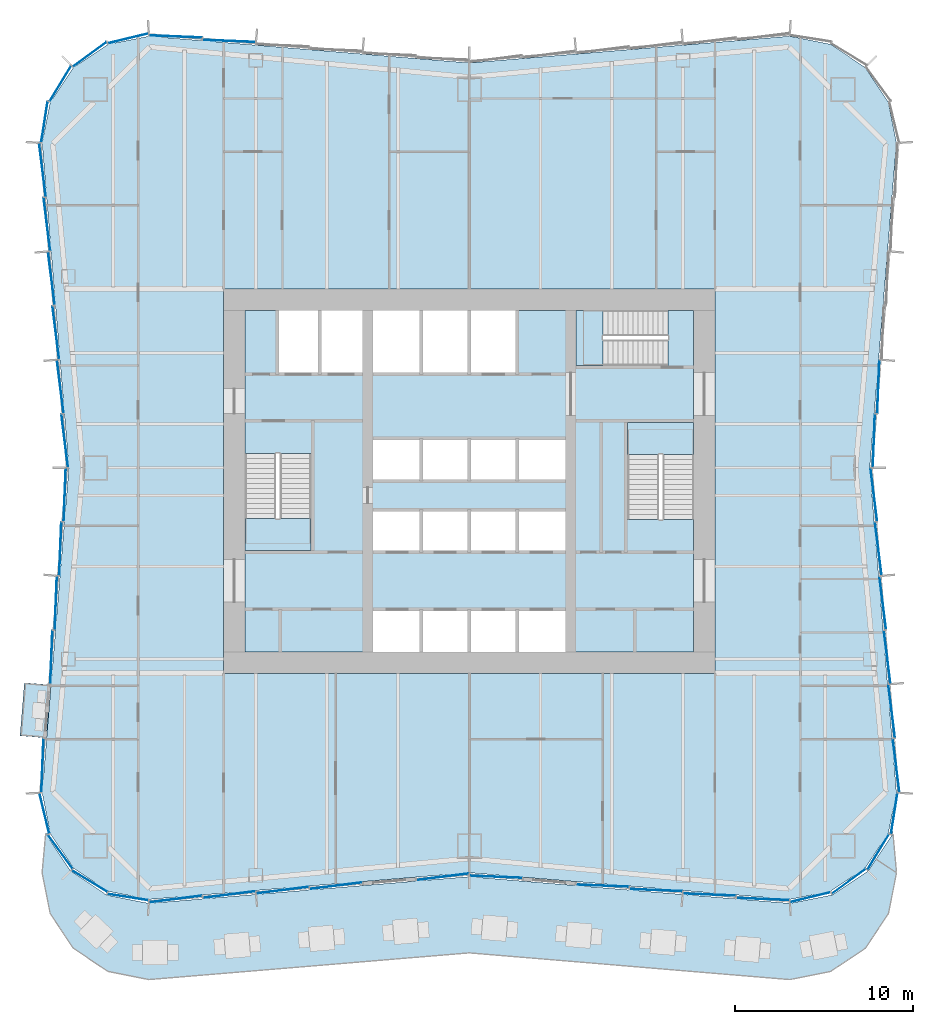
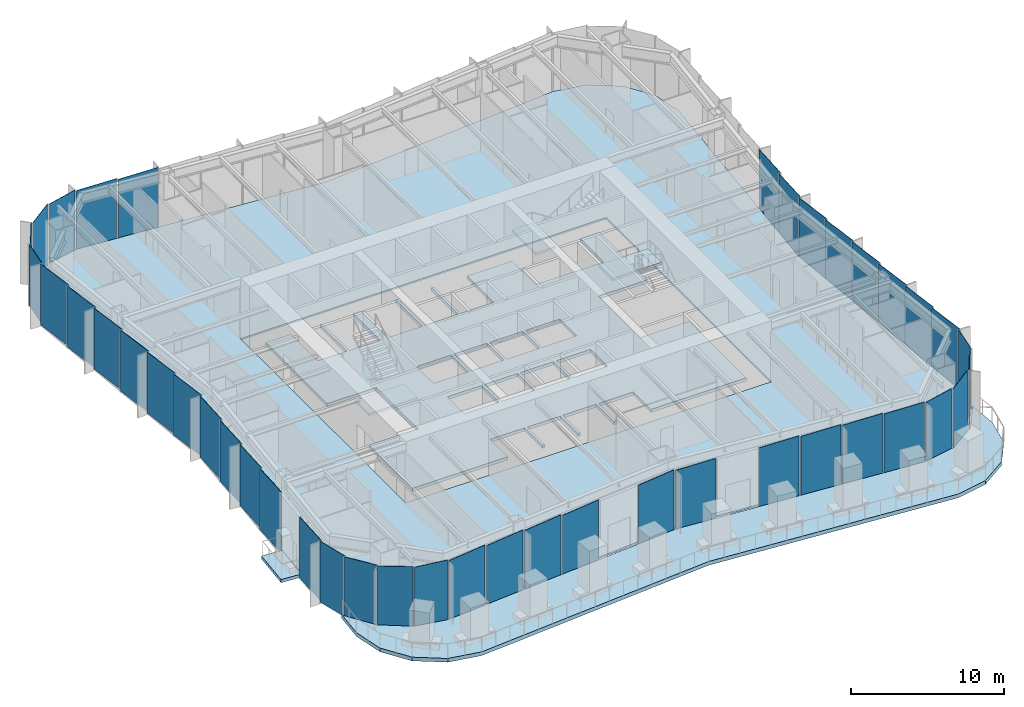
# One storey, part 7 of 15: 43 plates, 7 slabs, 10 elements without a shape of their own.
"""IFC4 building model written with IfcOpenShell, lengths in metres."""

from ifc_helpers import new_model, si_unit, direction, frame, origin, origin_2d, place, context, subcontext, project, spatial, polyline, rectangle, outline, extrude, material, layer, layer_set, type_object, element, aggregate, save


model = new_model("IFC4")

# Units and contexts
model_context = context("Model", 3, precision=1e-05, world=origin(), true_north=direction((0.0, 1.0)))
body_context = subcontext(model_context, "Body", "Model", "MODEL_VIEW")
ifc_project = project(units=[si_unit("LENGTHUNIT", "METRE"), si_unit("AREAUNIT", "SQUARE_METRE"), si_unit("VOLUMEUNIT", "CUBIC_METRE"), si_unit("PLANEANGLEUNIT", "RADIAN"), si_unit("MASSUNIT", "GRAM", prefix="KILO")], contexts=[model_context])

# Site, building, storey
site_placement = place(None, origin())
site = spatial("IfcSite", under=ifc_project, at=site_placement, CompositionType="ELEMENT")
building_placement = place(site_placement, origin())
building = spatial("IfcBuilding", under=site, at=building_placement, Name="Verdant Reach Tower", CompositionType="ELEMENT")
storey_placement = place(building_placement, frame((0.0, 0.0, 65.0)))
storey = spatial("IfcBuildingStorey", under=building, at=storey_placement, Name="L14", CompositionType="ELEMENT", Elevation=65.0)

# Stair, slab
ifc_material_1 = material(Name="Concrete C40/50", Category="concrete")
stair_type = type_object("IfcStairType", Name="CO-STAIR", PredefinedType="HALF_TURN_STAIR", material=ifc_material_1)
stair_1_placement = place(storey_placement, origin())
stair_1 = element("IfcStair", 1, at=stair_1_placement, inside=storey, type_object=stair_type, Name="L14 Exit stair 1", PredefinedType="HALF_TURN_STAIR")
ifc_layer_1 = layer(ifc_material_1, 0.199951171875)
ifc_layer_set_1 = layer_set([ifc_layer_1], Name="CO-STAIR-LANDING")
slab_type_1 = type_object("IfcSlabType", Name="CO-STAIR-LANDING", PredefinedType="LANDING", material=ifc_layer_set_1)
slab_1_placement = place(storey_placement, frame((0.0, 0.0, 2.300048828125)))
slab_1 = element("IfcSlab", 2, at=slab_1_placement, type_object=slab_type_1, Name="ST-1 landing 1", PredefinedType="LANDING", context=body_context, shape_type="SweptSolid", body=[
    extrude(outline(polyline([(-12.60009765625, 25.909912109375), (-12.60009765625, 24.10009765625), (-8.89990234375, 24.10009765625), (-8.89990234375, 25.909912109375), (-12.60009765625, 25.909912109375)])), origin(), (0.0, 0.0, 1.0), 0.199951171875),
])
aggregate(stair_1, [slab_1])

stair_2_placement = place(storey_placement, origin())
stair_2 = element("IfcStair", 3, at=stair_2_placement, inside=storey, type_object=stair_type, Name="L14 Exit stair 2", PredefinedType="HALF_TURN_STAIR")
slab_2_placement = place(storey_placement, frame((0.0, 0.0, 2.300048828125)))
slab_2 = element("IfcSlab", 4, at=slab_2_placement, type_object=slab_type_1, Name="ST-2 landing 1", PredefinedType="LANDING", context=body_context, shape_type="SweptSolid", body=[
    extrude(outline(polyline([(12.60009765625, 29.489990234375), (12.60009765625, 31.300048828125), (8.89990234375, 31.300048828125), (8.89990234375, 29.489990234375), (12.60009765625, 29.489990234375)])), origin(), (0.0, 0.0, 1.0), 0.199951171875),
])
aggregate(stair_2, [slab_2])

stair_3_placement = place(storey_placement, origin())
stair_3 = element("IfcStair", 5, at=stair_3_placement, inside=storey, type_object=stair_type, Name="L14 Exit stair 3", PredefinedType="HALF_TURN_STAIR")
slab_3_placement = place(storey_placement, frame((0.0, 0.0, 2.300048828125)))
slab_3 = element("IfcSlab", 6, at=slab_3_placement, type_object=slab_type_1, Name="ST-3 landing 1", PredefinedType="LANDING", context=body_context, shape_type="SweptSolid", body=[
    extrude(outline(polyline([(7.510009765625, 37.60009765625), (6.0, 37.60009765625), (6.0, 34.5), (7.510009765625, 34.5), (7.510009765625, 37.60009765625)])), origin(), (0.0, 0.0, 1.0), 0.199951171875),
])
aggregate(stair_3, [slab_3])

# Slab
ifc_material_2 = material(Name="Concrete C35/45", Category="concrete")
ifc_layer_2 = layer(ifc_material_2, 0.25)
ifc_layer_set_2 = layer_set([ifc_layer_2], Name="EN-BALCONY SLAB")
slab_type_2 = type_object("IfcSlabType", Name="EN-BALCONY SLAB", PredefinedType="FLOOR", material=ifc_layer_set_2)
slab_4_placement = place(storey_placement, frame((0.0, 0.0, -0.25)))
element("IfcSlab", 7, at=slab_4_placement, inside=storey, type_object=slab_type_2, Name="Balcony slab 1, L14", PredefinedType="FLOOR", context=body_context, shape_type="SweptSolid", body=[
    extrude(outline(polyline([(-23.50244140625, 16.552490234375), (-23.74755859375, 13.572509765625), (-25.242431640625, 13.695556640625), (-24.99755859375, 16.67529296875), (-23.50244140625, 16.552490234375)])), origin(), (0.0, 0.0, 1.0), 0.25),
])

# Curtain wall, plates
ifc_material_3 = material(Name="Anodised aluminium", Category="aluminium")
curtain_wall_type = type_object("IfcCurtainWallType", Name="EN-CW SYSTEM Z1", PredefinedType="NOTDEFINED", material=ifc_material_3)
curtain_wall_1_placement = place(storey_placement, origin())
curtain_wall_1 = element("IfcCurtainWall", 8, at=curtain_wall_1_placement, inside=storey, type_object=curtain_wall_type, Name="Curtain wall south-east corner, L14", PredefinedType="NOTDEFINED")
ifc_material_4 = material(Name="Tinted glass with champagne spandrel", Category="glass")
ifc_layer_3 = layer(ifc_material_4, 0.031982421875)
ifc_layer_set_3 = layer_set([ifc_layer_3], Name="EN-PANEL CHAMPAGNE")
plate_type_1 = type_object("IfcPlateType", Name="EN-PANEL CHAMPAGNE", PredefinedType="CURTAIN_PANEL", material=ifc_layer_set_3)
plate_1_placement = place(storey_placement, frame((19.170654296875, 4.62939453125, -0.22802734375), z_axis=(0.0, 0.0, 1.0), x_axis=(0.971660685934, 0.236380014828, 0.0)))
plate_1 = element("IfcPlate", 9, at=plate_1_placement, type_object=plate_type_1, Name="Glass panel south-east corner 1.1, L14", PredefinedType="CURTAIN_PANEL", context=body_context, shape_type="SweptSolid", body=[
    extrude(rectangle(XDim=2.317626953125, YDim=0.031982421875, at=origin_2d()), origin(), (0.0, 0.0, 1.0), 4.8779296875),
])
plate_2_placement = place(storey_placement, frame((21.325439453125, 5.52294921875, -0.22802734375), z_axis=(0.0, 0.0, 1.0), x_axis=(0.807456753161, 0.589926768145, 0.0)))
plate_2 = element("IfcPlate", 10, at=plate_2_placement, type_object=plate_type_1, Name="Glass panel south-east corner 2.1, L14", PredefinedType="CURTAIN_PANEL", context=body_context, shape_type="SweptSolid", body=[
    extrude(rectangle(XDim=2.3232421875, YDim=0.031982421875, at=origin_2d()), origin(), (0.0, 0.0, 1.0), 4.8779296875),
])

curtain_wall_2_placement = place(storey_placement, origin())
curtain_wall_2 = element("IfcCurtainWall", 11, at=curtain_wall_2_placement, inside=storey, type_object=curtain_wall_type, Name="Curtain wall east, L14", PredefinedType="NOTDEFINED")
plate_3_placement = place(storey_placement, frame((22.727783203125, 27.2333984375, -0.22802734375), z_axis=(0.0, 0.0, 1.0), x_axis=(-0.123691487663, 0.992320722287, 0.0)))
plate_3 = element("IfcPlate", 12, at=plate_3_placement, type_object=plate_type_1, Name="Glass panel east face part 1 6.1, L14", PredefinedType="CURTAIN_PANEL", context=body_context, shape_type="SweptSolid", body=[
    extrude(rectangle(XDim=2.985595703125, YDim=0.031982421875, at=origin_2d()), origin(), (0.0, 0.0, 1.0), 4.8779296875),
])
plate_4_placement = place(storey_placement, frame((22.727783203125, 30.2666015625, -0.22802734375), z_axis=(0.0, 0.0, 1.0), x_axis=(0.040222426271, 0.99919075077, 0.0)))
plate_4 = element("IfcPlate", 13, at=plate_4_placement, type_object=plate_type_1, Name="Glass panel east face part 2 1.1, L14", PredefinedType="CURTAIN_PANEL", context=body_context, shape_type="SweptSolid", body=[
    extrude(rectangle(XDim=2.985595703125, YDim=0.031982421875, at=origin_2d()), origin(), (0.0, 0.0, 1.0), 4.8779296875),
])
plate_5_placement = place(storey_placement, frame((22.9775390625, 33.303955078125, -0.22802734375), z_axis=(0.0, 0.0, 1.0), x_axis=(0.040108781752, 0.999195319057, 0.0)))
plate_5 = element("IfcPlate", 14, at=plate_5_placement, type_object=plate_type_1, Name="Glass panel east face part 2 2.1, L14", PredefinedType="CURTAIN_PANEL", context=body_context, shape_type="SweptSolid", body=[
    extrude(rectangle(XDim=2.993896484375, YDim=0.031982421875, at=origin_2d()), origin(), (0.0, 0.0, 1.0), 4.8779296875),
])

# Curtain wall, plate
curtain_wall_3_placement = place(storey_placement, origin())
curtain_wall_3 = element("IfcCurtainWall", 15, at=curtain_wall_3_placement, inside=storey, type_object=curtain_wall_type, Name="Curtain wall north, L14", PredefinedType="NOTDEFINED")
plate_6_placement = place(storey_placement, frame((-16.49853515625, 52.977783203125, -0.22802734375), z_axis=(0.0, 0.0, 1.0), x_axis=(-0.999162836679, 0.040909971885, 0.0)))
plate_6 = element("IfcPlate", 16, at=plate_6_placement, type_object=plate_type_1, Name="Glass panel north face part 2 6.1, L14", PredefinedType="CURTAIN_PANEL", context=body_context, shape_type="SweptSolid", body=[
    extrude(rectangle(XDim=2.966796875, YDim=0.031982421875, at=origin_2d()), origin(), (0.0, 0.0, 1.0), 4.8779296875),
])

curtain_wall_4_placement = place(storey_placement, origin())
curtain_wall_4 = element("IfcCurtainWall", 17, at=curtain_wall_4_placement, inside=storey, type_object=curtain_wall_type, Name="Curtain wall north-west corner, L14", PredefinedType="NOTDEFINED")
plate_7_placement = place(storey_placement, frame((-23.87060546875, 48.170654296875, -0.22802734375), z_axis=(0.0, 0.0, 1.0), x_axis=(-0.154247912016, -0.988032176419, 0.0)))
plate_7 = element("IfcPlate", 18, at=plate_7_placement, type_object=plate_type_1, Name="Glass panel north-west corner 4.1, L14", PredefinedType="CURTAIN_PANEL", context=body_context, shape_type="SweptSolid", body=[
    extrude(rectangle(XDim=2.3173828125, YDim=0.031982421875, at=origin_2d()), origin(), (0.0, 0.0, 1.0), 4.8779296875),
])

# Curtain wall, plates
curtain_wall_5_placement = place(storey_placement, origin())
curtain_wall_5 = element("IfcCurtainWall", 19, at=curtain_wall_5_placement, inside=storey, type_object=curtain_wall_type, Name="Curtain wall west, L14", PredefinedType="NOTDEFINED")
plate_8_placement = place(storey_placement, frame((-23.4775390625, 39.387451171875, -0.22802734375), z_axis=(0.0, 0.0, 1.0), x_axis=(0.123578623975, -0.992334784081, 0.0)))
plate_8 = element("IfcPlate", 20, at=plate_8_placement, type_object=plate_type_1, Name="Glass panel west face part 1 3.1, L14", PredefinedType="CURTAIN_PANEL", context=body_context, shape_type="SweptSolid", body=[
    extrude(rectangle(XDim=2.993896484375, YDim=0.031982421875, at=origin_2d()), origin(), (0.0, 0.0, 1.0), 4.8779296875),
])
plate_9_placement = place(storey_placement, frame((-23.2275390625, 36.345703125, -0.22802734375), z_axis=(0.0, 0.0, 1.0), x_axis=(0.123578623975, -0.992334784081, 0.0)))
plate_9 = element("IfcPlate", 21, at=plate_9_placement, type_object=plate_type_1, Name="Glass panel west face part 1 4.1, L14", PredefinedType="CURTAIN_PANEL", context=body_context, shape_type="SweptSolid", body=[
    extrude(rectangle(XDim=2.993896484375, YDim=0.031982421875, at=origin_2d()), origin(), (0.0, 0.0, 1.0), 4.8779296875),
])
plate_10_placement = place(storey_placement, frame((-23.4775390625, 18.112548828125, -0.22802734375), z_axis=(0.0, 0.0, 1.0), x_axis=(-0.040108781752, -0.999195319057, 0.0)))
plate_10 = element("IfcPlate", 22, at=plate_10_placement, type_object=plate_type_1, Name="Glass panel west face part 2 4.1, L14", PredefinedType="CURTAIN_PANEL", context=body_context, shape_type="SweptSolid", body=[
    extrude(rectangle(XDim=2.993896484375, YDim=0.031982421875, at=origin_2d()), origin(), (0.0, 0.0, 1.0), 4.8779296875),
])
plate_11_placement = place(storey_placement, frame((-23.977783203125, 12.022216796875, -0.22802734375), z_axis=(0.0, 0.0, 1.0), x_axis=(-0.039784239139, -0.999208293759, 0.0)))
plate_11 = element("IfcPlate", 23, at=plate_11_placement, type_object=plate_type_1, Name="Glass panel west face part 2 6.1, L14", PredefinedType="CURTAIN_PANEL", context=body_context, shape_type="SweptSolid", body=[
    extrude(rectangle(XDim=3.00830078125, YDim=0.031982421875, at=origin_2d()), origin(), (0.0, 0.0, 1.0), 4.8779296875),
])

curtain_wall_6_placement = place(storey_placement, origin())
curtain_wall_6 = element("IfcCurtainWall", 24, at=curtain_wall_6_placement, inside=storey, type_object=curtain_wall_type, Name="Curtain wall south-west corner, L14", PredefinedType="NOTDEFINED")
plate_12_placement = place(storey_placement, frame((-21.325439453125, 5.52294921875, -0.22802734375), z_axis=(0.0, 0.0, 1.0), x_axis=(0.85398868836, -0.520291572248, 0.0)))
plate_12 = element("IfcPlate", 25, at=plate_12_placement, type_object=plate_type_1, Name="Glass panel south-west corner 3.1, L14", PredefinedType="CURTAIN_PANEL", context=body_context, shape_type="SweptSolid", body=[
    extrude(rectangle(XDim=2.3232421875, YDim=0.031982421875, at=origin_2d()), origin(), (0.0, 0.0, 1.0), 4.8779296875),
])
plate_13_placement = place(storey_placement, frame((-19.170654296875, 4.62939453125, -0.22802734375), z_axis=(0.0, 0.0, 1.0), x_axis=(0.988032704995, -0.154244526195, 0.0)))
plate_13 = element("IfcPlate", 26, at=plate_13_placement, type_object=plate_type_1, Name="Glass panel south-west corner 4.1, L14", PredefinedType="CURTAIN_PANEL", context=body_context, shape_type="SweptSolid", body=[
    extrude(rectangle(XDim=2.317626953125, YDim=0.031982421875, at=origin_2d()), origin(), (0.0, 0.0, 1.0), 4.8779296875),
])

curtain_wall_7_placement = place(storey_placement, origin())
curtain_wall_7 = element("IfcCurtainWall", 27, at=curtain_wall_7_placement, inside=storey, type_object=curtain_wall_type, Name="Curtain wall south, L14", PredefinedType="NOTDEFINED")
plate_14_placement = place(storey_placement, frame((-16.49853515625, 4.522216796875, -0.22802734375), z_axis=(0.0, 0.0, 1.0), x_axis=(0.99223537376, 0.124374286167, 0.0)))
plate_14 = element("IfcPlate", 28, at=plate_14_placement, type_object=plate_type_1, Name="Glass panel south face part 1 1.1, L14", PredefinedType="CURTAIN_PANEL", context=body_context, shape_type="SweptSolid", body=[
    extrude(rectangle(XDim=2.966796875, YDim=0.031982421875, at=origin_2d()), origin(), (0.0, 0.0, 1.0), 4.8779296875),
])
plate_15_placement = place(storey_placement, frame((-13.491455078125, 4.7724609375, -0.22802734375), z_axis=(0.0, 0.0, 1.0), x_axis=(0.992194034542, 0.124703639961, 0.0)))
plate_15 = element("IfcPlate", 29, at=plate_15_placement, type_object=plate_type_1, Name="Glass panel south face part 1 2.1, L14", PredefinedType="CURTAIN_PANEL", context=body_context, shape_type="SweptSolid", body=[
    extrude(rectangle(XDim=2.952392578125, YDim=0.031982421875, at=origin_2d()), origin(), (0.0, 0.0, 1.0), 4.8779296875),
])
plate_16_placement = place(storey_placement, frame((7.491455078125, 5.2724609375, -0.22802734375), z_axis=(0.0, 0.0, 1.0), x_axis=(0.999149202059, -0.041241629766, 0.0)))
plate_16 = element("IfcPlate", 30, at=plate_16_placement, type_object=plate_type_1, Name="Glass panel south face part 2 3.1, L14", PredefinedType="CURTAIN_PANEL", context=body_context, shape_type="SweptSolid", body=[
    extrude(rectangle(XDim=2.952392578125, YDim=0.031982421875, at=origin_2d()), origin(), (0.0, 0.0, 1.0), 4.8779296875),
])

# Plate
ifc_material_5 = material(Name="Tinted glass with copper spandrel", Category="glass")
ifc_layer_4 = layer(ifc_material_5, 0.031982421875)
ifc_layer_set_4 = layer_set([ifc_layer_4], Name="EN-PANEL COPPER")
plate_type_2 = type_object("IfcPlateType", Name="EN-PANEL COPPER", PredefinedType="CURTAIN_PANEL", material=ifc_layer_set_4)
plate_17_placement = place(storey_placement, frame((22.97705078125, 7.174560546875, -0.22802734375), z_axis=(0.0, 0.0, 1.0), x_axis=(0.520291572248, 0.85398868836, 0.0)))
plate_17 = element("IfcPlate", 31, at=plate_17_placement, type_object=plate_type_2, Name="Glass panel south-east corner 3.1, L14", PredefinedType="CURTAIN_PANEL", context=body_context, shape_type="SweptSolid", body=[
    extrude(rectangle(XDim=2.3232421875, YDim=0.031982421875, at=origin_2d()), origin(), (0.0, 0.0, 1.0), 4.8779296875),
])

plate_18_placement = place(storey_placement, frame((23.87060546875, 9.329345703125, -0.22802734375), z_axis=(0.0, 0.0, 1.0), x_axis=(0.154247912016, 0.988032176419, 0.0)))
plate_18 = element("IfcPlate", 32, at=plate_18_placement, type_object=plate_type_2, Name="Glass panel south-east corner 4.1, L14", PredefinedType="CURTAIN_PANEL", context=body_context, shape_type="SweptSolid", body=[
    extrude(rectangle(XDim=2.3173828125, YDim=0.031982421875, at=origin_2d()), origin(), (0.0, 0.0, 1.0), 4.8779296875),
])

aggregate(curtain_wall_1, [plate_1, plate_2, plate_17, plate_18])

plate_19_placement = place(storey_placement, frame((23.977783203125, 12.022216796875, -0.22802734375), z_axis=(0.0, 0.0, 1.0), x_axis=(-0.123256305275, 0.992374870304, 0.0)))
plate_19 = element("IfcPlate", 33, at=plate_19_placement, type_object=plate_type_2, Name="Glass panel east face part 1 1.1, L14", PredefinedType="CURTAIN_PANEL", context=body_context, shape_type="SweptSolid", body=[
    extrude(rectangle(XDim=3.00830078125, YDim=0.031982421875, at=origin_2d()), origin(), (0.0, 0.0, 1.0), 4.8779296875),
])

plate_20_placement = place(storey_placement, frame((23.7275390625, 15.071044921875, -0.22802734375), z_axis=(0.0, 0.0, 1.0), x_axis=(-0.123578623975, 0.992334784081, 0.0)))
plate_20 = element("IfcPlate", 34, at=plate_20_placement, type_object=plate_type_2, Name="Glass panel east face part 1 2.1, L14", PredefinedType="CURTAIN_PANEL", context=body_context, shape_type="SweptSolid", body=[
    extrude(rectangle(XDim=2.993896484375, YDim=0.031982421875, at=origin_2d()), origin(), (0.0, 0.0, 1.0), 4.8779296875),
])

plate_21_placement = place(storey_placement, frame((23.4775390625, 18.112548828125, -0.22802734375), z_axis=(0.0, 0.0, 1.0), x_axis=(-0.123578623975, 0.992334784081, 0.0)))
plate_21 = element("IfcPlate", 35, at=plate_21_placement, type_object=plate_type_2, Name="Glass panel east face part 1 3.1, L14", PredefinedType="CURTAIN_PANEL", context=body_context, shape_type="SweptSolid", body=[
    extrude(rectangle(XDim=2.993896484375, YDim=0.031982421875, at=origin_2d()), origin(), (0.0, 0.0, 1.0), 4.8779296875),
])

plate_22_placement = place(storey_placement, frame((-19.170654296875, 52.87060546875, -0.22802734375), z_axis=(0.0, 0.0, 1.0), x_axis=(-0.971660685934, -0.236380014828, 0.0)))
plate_22 = element("IfcPlate", 36, at=plate_22_placement, type_object=plate_type_2, Name="Glass panel north-west corner 1.1, L14", PredefinedType="CURTAIN_PANEL", context=body_context, shape_type="SweptSolid", body=[
    extrude(rectangle(XDim=2.317626953125, YDim=0.031982421875, at=origin_2d()), origin(), (0.0, 0.0, 1.0), 4.8779296875),
])

plate_23_placement = place(storey_placement, frame((-22.9775390625, 33.303955078125, -0.22802734375), z_axis=(0.0, 0.0, 1.0), x_axis=(0.123578623975, -0.992334784081, 0.0)))
plate_23 = element("IfcPlate", 37, at=plate_23_placement, type_object=plate_type_2, Name="Glass panel west face part 1 5.1, L14", PredefinedType="CURTAIN_PANEL", context=body_context, shape_type="SweptSolid", body=[
    extrude(rectangle(XDim=2.993896484375, YDim=0.031982421875, at=origin_2d()), origin(), (0.0, 0.0, 1.0), 4.8779296875),
])

plate_24_placement = place(storey_placement, frame((-22.727783203125, 30.2666015625, -0.22802734375), z_axis=(0.0, 0.0, 1.0), x_axis=(0.123691487663, -0.992320722287, 0.0)))
plate_24 = element("IfcPlate", 38, at=plate_24_placement, type_object=plate_type_2, Name="Glass panel west face part 1 6.1, L14", PredefinedType="CURTAIN_PANEL", context=body_context, shape_type="SweptSolid", body=[
    extrude(rectangle(XDim=2.985595703125, YDim=0.031982421875, at=origin_2d()), origin(), (0.0, 0.0, 1.0), 4.8779296875),
])

plate_25_placement = place(storey_placement, frame((-22.727783203125, 27.2333984375, -0.22802734375), z_axis=(0.0, 0.0, 1.0), x_axis=(-0.040222426271, -0.99919075077, 0.0)))
plate_25 = element("IfcPlate", 39, at=plate_25_placement, type_object=plate_type_2, Name="Glass panel west face part 2 1.1, L14", PredefinedType="CURTAIN_PANEL", context=body_context, shape_type="SweptSolid", body=[
    extrude(rectangle(XDim=2.985595703125, YDim=0.031982421875, at=origin_2d()), origin(), (0.0, 0.0, 1.0), 4.8779296875),
])

plate_26_placement = place(storey_placement, frame((-10.491455078125, 5.0224609375, -0.22802734375), z_axis=(0.0, 0.0, 1.0), x_axis=(0.992194034542, 0.124703639961, 0.0)))
plate_26 = element("IfcPlate", 40, at=plate_26_placement, type_object=plate_type_2, Name="Glass panel south face part 1 3.1, L14", PredefinedType="CURTAIN_PANEL", context=body_context, shape_type="SweptSolid", body=[
    extrude(rectangle(XDim=2.952392578125, YDim=0.031982421875, at=origin_2d()), origin(), (0.0, 0.0, 1.0), 4.8779296875),
])

plate_27_placement = place(storey_placement, frame((-7.491455078125, 5.2724609375, -0.22802734375), z_axis=(0.0, 0.0, 1.0), x_axis=(0.992194034542, 0.124703639961, 0.0)))
plate_27 = element("IfcPlate", 41, at=plate_27_placement, type_object=plate_type_2, Name="Glass panel south face part 1 4.1, L14", PredefinedType="CURTAIN_PANEL", context=body_context, shape_type="SweptSolid", body=[
    extrude(rectangle(XDim=2.952392578125, YDim=0.031982421875, at=origin_2d()), origin(), (0.0, 0.0, 1.0), 4.8779296875),
])

plate_28_placement = place(storey_placement, frame((10.491455078125, 5.0224609375, -0.22802734375), z_axis=(0.0, 0.0, 1.0), x_axis=(0.999149202059, -0.041241629766, 0.0)))
plate_28 = element("IfcPlate", 42, at=plate_28_placement, type_object=plate_type_2, Name="Glass panel south face part 2 4.1, L14", PredefinedType="CURTAIN_PANEL", context=body_context, shape_type="SweptSolid", body=[
    extrude(rectangle(XDim=2.952392578125, YDim=0.031982421875, at=origin_2d()), origin(), (0.0, 0.0, 1.0), 4.8779296875),
])

plate_29_placement = place(storey_placement, frame((13.491455078125, 4.7724609375, -0.22802734375), z_axis=(0.0, 0.0, 1.0), x_axis=(0.999149202059, -0.041241629766, 0.0)))
plate_29 = element("IfcPlate", 43, at=plate_29_placement, type_object=plate_type_2, Name="Glass panel south face part 2 5.1, L14", PredefinedType="CURTAIN_PANEL", context=body_context, shape_type="SweptSolid", body=[
    extrude(rectangle(XDim=2.952392578125, YDim=0.031982421875, at=origin_2d()), origin(), (0.0, 0.0, 1.0), 4.8779296875),
])

plate_30_placement = place(storey_placement, frame((16.49853515625, 4.522216796875, -0.22802734375), z_axis=(0.0, 0.0, 1.0), x_axis=(0.999162836679, -0.040909971885, 0.0)))
plate_30 = element("IfcPlate", 44, at=plate_30_placement, type_object=plate_type_2, Name="Glass panel south face part 2 6.1, L14", PredefinedType="CURTAIN_PANEL", context=body_context, shape_type="SweptSolid", body=[
    extrude(rectangle(XDim=2.966796875, YDim=0.031982421875, at=origin_2d()), origin(), (0.0, 0.0, 1.0), 4.8779296875),
])

ifc_material_6 = material(Name="Tinted glass with dark bronze spandrel", Category="glass")
ifc_layer_5 = layer(ifc_material_6, 0.031982421875)
ifc_layer_set_5 = layer_set([ifc_layer_5], Name="EN-PANEL DARK")
plate_type_3 = type_object("IfcPlateType", Name="EN-PANEL DARK", PredefinedType="CURTAIN_PANEL", material=ifc_layer_set_5)
plate_31_placement = place(storey_placement, frame((23.2275390625, 21.154296875, -0.22802734375), z_axis=(0.0, 0.0, 1.0), x_axis=(-0.123578623975, 0.992334784081, 0.0)))
plate_31 = element("IfcPlate", 45, at=plate_31_placement, type_object=plate_type_3, Name="Glass panel east face part 1 4.1, L14", PredefinedType="CURTAIN_PANEL", context=body_context, shape_type="SweptSolid", body=[
    extrude(rectangle(XDim=2.993896484375, YDim=0.031982421875, at=origin_2d()), origin(), (0.0, 0.0, 1.0), 4.8779296875),
])

plate_32_placement = place(storey_placement, frame((22.9775390625, 24.196044921875, -0.22802734375), z_axis=(0.0, 0.0, 1.0), x_axis=(-0.123578623975, 0.992334784081, 0.0)))
plate_32 = element("IfcPlate", 46, at=plate_32_placement, type_object=plate_type_3, Name="Glass panel east face part 1 5.1, L14", PredefinedType="CURTAIN_PANEL", context=body_context, shape_type="SweptSolid", body=[
    extrude(rectangle(XDim=2.993896484375, YDim=0.031982421875, at=origin_2d()), origin(), (0.0, 0.0, 1.0), 4.8779296875),
])

aggregate(curtain_wall_2, [plate_19, plate_20, plate_21, plate_31, plate_32, plate_3, plate_4, plate_5])

plate_33_placement = place(storey_placement, frame((-13.491455078125, 52.7275390625, -0.22802734375), z_axis=(0.0, 0.0, 1.0), x_axis=(-0.999149202059, 0.041241629766, 0.0)))
plate_33 = element("IfcPlate", 47, at=plate_33_placement, type_object=plate_type_3, Name="Glass panel north face part 2 5.1, L14", PredefinedType="CURTAIN_PANEL", context=body_context, shape_type="SweptSolid", body=[
    extrude(rectangle(XDim=2.952392578125, YDim=0.031982421875, at=origin_2d()), origin(), (0.0, 0.0, 1.0), 4.8779296875),
])

aggregate(curtain_wall_3, [plate_33, plate_6])

plate_34_placement = place(storey_placement, frame((-21.325439453125, 51.97705078125, -0.22802734375), z_axis=(0.0, 0.0, 1.0), x_axis=(-0.807456753161, -0.589926768145, 0.0)))
plate_34 = element("IfcPlate", 48, at=plate_34_placement, type_object=plate_type_3, Name="Glass panel north-west corner 2.1, L14", PredefinedType="CURTAIN_PANEL", context=body_context, shape_type="SweptSolid", body=[
    extrude(rectangle(XDim=2.3232421875, YDim=0.031982421875, at=origin_2d()), origin(), (0.0, 0.0, 1.0), 4.8779296875),
])

plate_35_placement = place(storey_placement, frame((-22.97705078125, 50.325439453125, -0.22802734375), z_axis=(0.0, 0.0, 1.0), x_axis=(-0.520291572248, -0.85398868836, 0.0)))
plate_35 = element("IfcPlate", 49, at=plate_35_placement, type_object=plate_type_3, Name="Glass panel north-west corner 3.1, L14", PredefinedType="CURTAIN_PANEL", context=body_context, shape_type="SweptSolid", body=[
    extrude(rectangle(XDim=2.3232421875, YDim=0.031982421875, at=origin_2d()), origin(), (0.0, 0.0, 1.0), 4.8779296875),
])

aggregate(curtain_wall_4, [plate_22, plate_34, plate_35, plate_7])

plate_36_placement = place(storey_placement, frame((-23.977783203125, 45.477783203125, -0.22802734375), z_axis=(0.0, 0.0, 1.0), x_axis=(0.123256305275, -0.992374870304, 0.0)))
plate_36 = element("IfcPlate", 50, at=plate_36_placement, type_object=plate_type_3, Name="Glass panel west face part 1 1.1, L14", PredefinedType="CURTAIN_PANEL", context=body_context, shape_type="SweptSolid", body=[
    extrude(rectangle(XDim=3.00830078125, YDim=0.031982421875, at=origin_2d()), origin(), (0.0, 0.0, 1.0), 4.8779296875),
])

plate_37_placement = place(storey_placement, frame((-23.7275390625, 42.428955078125, -0.22802734375), z_axis=(0.0, 0.0, 1.0), x_axis=(0.123578623975, -0.992334784081, 0.0)))
plate_37 = element("IfcPlate", 51, at=plate_37_placement, type_object=plate_type_3, Name="Glass panel west face part 1 2.1, L14", PredefinedType="CURTAIN_PANEL", context=body_context, shape_type="SweptSolid", body=[
    extrude(rectangle(XDim=2.993896484375, YDim=0.031982421875, at=origin_2d()), origin(), (0.0, 0.0, 1.0), 4.8779296875),
])

plate_38_placement = place(storey_placement, frame((-22.9775390625, 24.196044921875, -0.22802734375), z_axis=(0.0, 0.0, 1.0), x_axis=(-0.040108781752, -0.999195319057, 0.0)))
plate_38 = element("IfcPlate", 52, at=plate_38_placement, type_object=plate_type_3, Name="Glass panel west face part 2 2.1, L14", PredefinedType="CURTAIN_PANEL", context=body_context, shape_type="SweptSolid", body=[
    extrude(rectangle(XDim=2.993896484375, YDim=0.031982421875, at=origin_2d()), origin(), (0.0, 0.0, 1.0), 4.8779296875),
])

plate_39_placement = place(storey_placement, frame((-23.2275390625, 21.154296875, -0.22802734375), z_axis=(0.0, 0.0, 1.0), x_axis=(-0.040108781752, -0.999195319057, 0.0)))
plate_39 = element("IfcPlate", 53, at=plate_39_placement, type_object=plate_type_3, Name="Glass panel west face part 2 3.1, L14", PredefinedType="CURTAIN_PANEL", context=body_context, shape_type="SweptSolid", body=[
    extrude(rectangle(XDim=2.993896484375, YDim=0.031982421875, at=origin_2d()), origin(), (0.0, 0.0, 1.0), 4.8779296875),
])

aggregate(curtain_wall_5, [plate_36, plate_37, plate_8, plate_9, plate_23, plate_24, plate_25, plate_38, plate_39, plate_10, plate_11])

plate_40_placement = place(storey_placement, frame((-23.87060546875, 9.329345703125, -0.22802734375), z_axis=(0.0, 0.0, 1.0), x_axis=(0.236383344544, -0.971659875894, 0.0)))
plate_40 = element("IfcPlate", 54, at=plate_40_placement, type_object=plate_type_3, Name="Glass panel south-west corner 1.1, L14", PredefinedType="CURTAIN_PANEL", context=body_context, shape_type="SweptSolid", body=[
    extrude(rectangle(XDim=2.3173828125, YDim=0.031982421875, at=origin_2d()), origin(), (0.0, 0.0, 1.0), 4.8779296875),
])

plate_41_placement = place(storey_placement, frame((-22.97705078125, 7.174560546875, -0.22802734375), z_axis=(0.0, 0.0, 1.0), x_axis=(0.589926768145, -0.807456753161, 0.0)))
plate_41 = element("IfcPlate", 55, at=plate_41_placement, type_object=plate_type_3, Name="Glass panel south-west corner 2.1, L14", PredefinedType="CURTAIN_PANEL", context=body_context, shape_type="SweptSolid", body=[
    extrude(rectangle(XDim=2.3232421875, YDim=0.031982421875, at=origin_2d()), origin(), (0.0, 0.0, 1.0), 4.8779296875),
])

aggregate(curtain_wall_6, [plate_40, plate_41, plate_12, plate_13])

plate_42_placement = place(storey_placement, frame((-1.49560546875, 5.772216796875, -0.22802734375), z_axis=(0.0, 0.0, 1.0), x_axis=(0.992179247355, 0.124821236644, 0.0)))
plate_42 = element("IfcPlate", 56, at=plate_42_placement, type_object=plate_type_3, Name="Glass panel south face part 1 6.1, L14", PredefinedType="CURTAIN_PANEL", context=body_context, shape_type="SweptSolid", body=[
    extrude(rectangle(XDim=2.94384765625, YDim=0.031982421875, at=origin_2d()), origin(), (0.0, 0.0, 1.0), 4.8779296875),
])

plate_43_placement = place(storey_placement, frame((1.49560546875, 5.772216796875, -0.22802734375), z_axis=(0.0, 0.0, 1.0), x_axis=(0.99914430697, -0.041360051381, 0.0)))
plate_43 = element("IfcPlate", 57, at=plate_43_placement, type_object=plate_type_3, Name="Glass panel south face part 2 1.1, L14", PredefinedType="CURTAIN_PANEL", context=body_context, shape_type="SweptSolid", body=[
    extrude(rectangle(XDim=2.94384765625, YDim=0.031982421875, at=origin_2d()), origin(), (0.0, 0.0, 1.0), 4.8779296875),
])

aggregate(curtain_wall_7, [plate_14, plate_15, plate_26, plate_27, plate_42, plate_43, plate_16, plate_28, plate_29, plate_30])

# Slabs
ifc_material_7 = material(Name="Concrete C35/45 with stone paving", Category="masonry")
ifc_layer_6 = layer(ifc_material_7, 0.300048828125)
ifc_layer_set_6 = layer_set([ifc_layer_6], Name="EN-TERRACE PAVING")
slab_type_3 = type_object("IfcSlabType", Name="EN-TERRACE PAVING", PredefinedType="USERDEFINED", material=ifc_layer_set_6)
slab_5_placement = place(storey_placement, frame((0.0, 0.0, -0.300048828125)))
element("IfcSlab", 58, at=slab_5_placement, inside=storey, type_object=slab_type_3, Name="South terrace deck, L14", ObjectType="PAVING", PredefinedType="USERDEFINED", context=body_context, shape_type="SweptSolid", body=[
    extrude(outline(polyline([(24.0, 6.0), (23.543212890625, 3.703857421875), (22.24267578125, 1.75732421875), (20.296142578125, 0.456787109375), (18.0, 0.0), (0.0, 1.5), (-18.0, 0.0), (-20.296142578125, 0.456787109375), (-22.24267578125, 1.75732421875), (-23.543212890625, 3.703857421875), (-24.0, 6.0), (-23.788330078125, 8.32861328125), (-23.746826171875, 8.11962890625), (-22.3984375, 6.1015625), (-20.38037109375, 4.753173828125), (-18.012451171875, 4.2822265625), (0.0, 5.783203125), (18.012451171875, 4.2822265625), (20.38037109375, 4.753173828125), (22.3984375, 6.1015625), (23.746826171875, 8.11962890625), (23.788330078125, 8.32861328125), (24.0, 6.0)])), origin(), (0.0, 0.0, 1.0), 0.300048828125),
])
ifc_material_8 = material(Name="Concrete C35/45", Category="concrete")
ifc_layer_7 = layer(ifc_material_8, 0.1298828125)
ifc_layer_set_7 = layer_set([ifc_layer_7], Name="ST-SLAB-130")
slab_type_4 = type_object("IfcSlabType", Name="ST-SLAB-130", PredefinedType="FLOOR", material=ifc_layer_set_7)
slab_6_placement = place(storey_placement, frame((0.0, 0.0, -0.1298828125)))
element("IfcSlab", 59, at=slab_6_placement, inside=storey, type_object=slab_type_4, Name="Floor slab L14", PredefinedType="FLOOR", context=body_context, shape_type="SweptSolid", body=[
    extrude(outline(polyline([(0.0, 6.0), (-18.0, 4.5), (-20.296142578125, 4.956787109375), (-22.24267578125, 6.25732421875), (-23.543212890625, 8.203857421875), (-24.0, 10.5), (-22.5, 28.75), (-24.0, 47.0), (-23.543212890625, 49.296142578125), (-22.24267578125, 51.24267578125), (-20.296142578125, 52.543212890625), (-18.0, 53.0), (0.0, 51.5), (18.0, 53.0), (20.296142578125, 52.543212890625), (22.24267578125, 51.24267578125), (23.543212890625, 49.296142578125), (24.0, 47.0), (22.5, 28.75), (24.0, 10.5), (23.543212890625, 8.203857421875), (22.24267578125, 6.25732421875), (20.296142578125, 4.956787109375), (18.0, 4.5), (0.0, 6.0)]), holes=[polyline([(13.800048828125, 38.800048828125), (-13.800048828125, 38.800048828125), (-13.800048828125, 17.199951171875), (13.800048828125, 17.199951171875), (13.800048828125, 38.800048828125)])]), origin(), (0.0, 0.0, 1.0), 0.1298828125),
])
ifc_layer_8 = layer(ifc_material_8, 0.25)
ifc_layer_set_8 = layer_set([ifc_layer_8], Name="ST-SLAB-250")
slab_type_5 = type_object("IfcSlabType", Name="ST-SLAB-250", PredefinedType="FLOOR", material=ifc_layer_set_8)
slab_7_placement = place(storey_placement, frame((0.0, 0.0, -0.25)))
element("IfcSlab", 60, at=slab_7_placement, inside=storey, type_object=slab_type_5, Name="Core floor slab L14", PredefinedType="FLOOR", context=body_context, shape_type="SweptSolid", body=[
    extrude(outline(polyline([(12.60009765625, 18.39990234375), (5.39990234375, 18.39990234375), (5.39990234375, 20.699951171875), (2.800048828125, 20.699951171875), (2.800048828125, 18.39990234375), (2.60009765625, 18.39990234375), (2.60009765625, 20.699951171875), (0.10009765625, 20.699951171875), (0.10009765625, 18.39990234375), (-0.10009765625, 18.39990234375), (-0.10009765625, 20.699951171875), (-2.60009765625, 20.699951171875), (-2.60009765625, 18.39990234375), (-2.800048828125, 18.39990234375), (-2.800048828125, 20.699951171875), (-5.39990234375, 20.699951171875), (-5.39990234375, 18.39990234375), (-12.60009765625, 18.39990234375), (-12.60009765625, 24.10009765625), (-8.89990234375, 24.10009765625), (-8.89990234375, 29.548095703125), (-12.60009765625, 29.548095703125), (-12.60009765625, 37.60009765625), (-10.699951171875, 37.60009765625), (-10.699951171875, 34.10009765625), (-8.5, 34.10009765625), (-8.5, 37.60009765625), (-8.300048828125, 37.60009765625), (-8.300048828125, 34.10009765625), (-6.0, 34.10009765625), (-6.0, 37.60009765625), (-5.39990234375, 37.60009765625), (-5.39990234375, 34.10009765625), (-2.800048828125, 34.10009765625), (-2.800048828125, 37.60009765625), (-2.60009765625, 37.60009765625), (-2.60009765625, 34.10009765625), (-0.10009765625, 34.10009765625), (-0.10009765625, 37.60009765625), (0.10009765625, 37.60009765625), (0.10009765625, 34.10009765625), (2.60009765625, 34.10009765625), (2.60009765625, 37.60009765625), (6.0, 37.60009765625), (6.0, 34.5), (11.14794921875, 34.5), (11.14794921875, 37.60009765625), (12.60009765625, 37.60009765625), (12.60009765625, 31.300048828125), (8.89990234375, 31.300048828125), (8.89990234375, 25.85205078125), (12.60009765625, 25.85205078125), (12.60009765625, 18.39990234375)]), holes=[polyline([(-2.800048828125, 24.10009765625), (-2.800048828125, 26.300048828125), (-5.39990234375, 26.300048828125), (-5.39990234375, 24.10009765625), (-2.800048828125, 24.10009765625)]), polyline([(-2.60009765625, 24.10009765625), (-0.10009765625, 24.10009765625), (-0.10009765625, 26.300048828125), (-2.60009765625, 26.300048828125), (-2.60009765625, 24.10009765625)]), polyline([(-2.800048828125, 28.10009765625), (-2.800048828125, 30.300048828125), (-5.39990234375, 30.300048828125), (-5.39990234375, 28.10009765625), (-2.800048828125, 28.10009765625)]), polyline([(-0.10009765625, 28.10009765625), (-0.10009765625, 30.300048828125), (-2.60009765625, 30.300048828125), (-2.60009765625, 28.10009765625), (-0.10009765625, 28.10009765625)]), polyline([(2.60009765625, 24.10009765625), (2.60009765625, 26.300048828125), (0.10009765625, 26.300048828125), (0.10009765625, 24.10009765625), (2.60009765625, 24.10009765625)]), polyline([(2.800048828125, 24.10009765625), (5.39990234375, 24.10009765625), (5.39990234375, 26.300048828125), (2.800048828125, 26.300048828125), (2.800048828125, 24.10009765625)]), polyline([(2.60009765625, 28.10009765625), (2.60009765625, 30.300048828125), (0.10009765625, 30.300048828125), (0.10009765625, 28.10009765625), (2.60009765625, 28.10009765625)]), polyline([(5.39990234375, 28.10009765625), (5.39990234375, 30.300048828125), (2.800048828125, 30.300048828125), (2.800048828125, 28.10009765625), (5.39990234375, 28.10009765625)])]), origin(), (0.0, 0.0, 1.0), 0.25),
])

save(model, "model.ifc")
